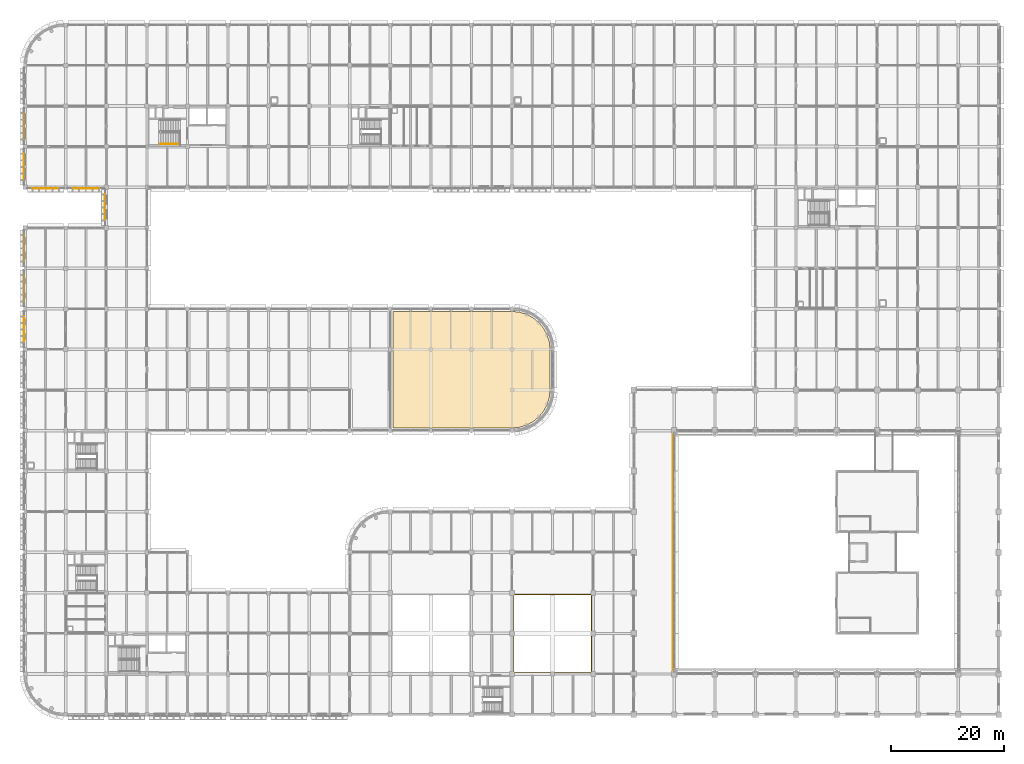
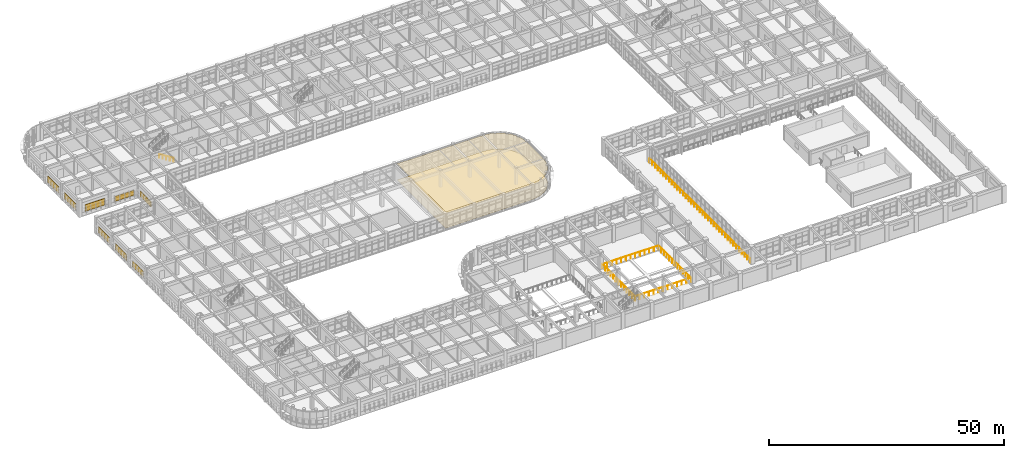
# One storey, part 167 of 171: 8 shading devices, 3 railings, 2 coverings.
"""IFC4 building model written with IfcOpenShell, lengths in metres."""

from ifc_helpers import new_model, si_unit, direction, frame, origin, origin_2d, place, context, subcontext, project, spatial, polyline, rectangle, circle, outline, extrude, material, layer, layer_set, type_object, element, save


model = new_model("IFC4")

# Units and contexts
model_context = context("Model", 3, precision=1e-05, world=origin(), true_north=direction((0.0, 1.0)))
body_context = subcontext(model_context, "Body", "Model", "MODEL_VIEW")
ifc_project = project(units=[si_unit("LENGTHUNIT", "METRE"), si_unit("AREAUNIT", "SQUARE_METRE"), si_unit("VOLUMEUNIT", "CUBIC_METRE"), si_unit("PLANEANGLEUNIT", "RADIAN"), si_unit("MASSUNIT", "GRAM", prefix="KILO")], contexts=[model_context])

# Site, building, storey
site_placement = place(None, origin())
site = spatial("IfcSite", under=ifc_project, at=site_placement, CompositionType="ELEMENT")
building_placement = place(site_placement, origin())
building = spatial("IfcBuilding", under=site, at=building_placement, Name="Thalmaran Polytechnic", CompositionType="ELEMENT")
storey_placement = place(building_placement, frame((0.0, 0.0, 5.39990234375)))
storey = spatial("IfcBuildingStorey", under=building, at=storey_placement, Name="L01", CompositionType="ELEMENT", Elevation=5.39990234375)

# Coverings
ifc_material_1 = material(Name="Acoustic mineral fibre ceiling")
ifc_layer_1 = layer(ifc_material_1, 0.02490234375, Name="Acoustic mineral fibre ceiling")
ifc_layer_set_1 = layer_set([ifc_layer_1], Name="Acoustic mineral fibre ceiling")
covering_type_1 = type_object("IfcCoveringType", Name="CV-CL01", PredefinedType="CEILING", material=ifc_layer_set_1)
covering_1_placement = place(storey_placement, frame((0.0, 0.0, 4.18505859375)))
element("IfcCovering", 1, at=covering_1_placement, inside=storey, type_object=covering_type_1, Name="Refectory Mezzanine and Campus Cafe Acoustic Ceiling", PredefinedType="CEILING", context=body_context, shape_type="SweptSolid", body=[
    extrude(outline(polyline([(65.25, 71.550048828125), (86.3779296875, 71.550048828125), (87.716552734375, 71.418212890625), (88.982177734375, 71.0341796875), (90.14892578125, 70.41064453125), (91.17138671875, 69.571533203125), (92.010498046875, 68.548828125), (92.63427734375, 67.38232421875), (93.01806640625, 66.116455078125), (93.14990234375, 64.77783203125), (93.14990234375, 57.6220703125), (93.01806640625, 56.283447265625), (92.63427734375, 55.017822265625), (92.010498046875, 53.85107421875), (91.17138671875, 52.82861328125), (90.14892578125, 51.989501953125), (88.982177734375, 51.36572265625), (87.716552734375, 50.98193359375), (86.3779296875, 50.85009765625), (65.25, 50.85009765625), (65.25, 71.550048828125)])), origin(), (0.0, 0.0, 1.0), 0.025146484375),
])
ifc_material_2 = material(Name="Polished terrazzo and epoxy lab flooring")
ifc_layer_2 = layer(ifc_material_2, 0.02001953125, Name="Polished terrazzo and epoxy lab flooring")
ifc_layer_set_2 = layer_set([ifc_layer_2], Name="Polished terrazzo and epoxy lab flooring")
covering_type_2 = type_object("IfcCoveringType", Name="CV-FL01", PredefinedType="FLOORING", material=ifc_layer_set_2)
covering_2_placement = place(storey_placement, origin())
element("IfcCovering", 2, at=covering_2_placement, inside=storey, type_object=covering_type_2, Name="Refectory Mezzanine and Campus Cafe Specialist Finish Flooring", PredefinedType="FLOORING", context=body_context, shape_type="SweptSolid", body=[
    extrude(outline(polyline([(65.25, 71.550048828125), (86.3779296875, 71.550048828125), (87.716552734375, 71.418212890625), (88.982177734375, 71.0341796875), (90.14892578125, 70.41064453125), (91.17138671875, 69.571533203125), (92.010498046875, 68.548828125), (92.63427734375, 67.38232421875), (93.01806640625, 66.116455078125), (93.14990234375, 64.77783203125), (93.14990234375, 57.6220703125), (93.01806640625, 56.283447265625), (92.63427734375, 55.017822265625), (92.010498046875, 53.85107421875), (91.17138671875, 52.82861328125), (90.14892578125, 51.989501953125), (88.982177734375, 51.36572265625), (87.716552734375, 50.98193359375), (86.3779296875, 50.85009765625), (65.25, 50.85009765625), (65.25, 71.550048828125)])), origin(), (0.0, 0.0, 1.0), 0.02001953125),
])

# Railings
ifc_material_3 = material(Name="Stainless steel 316", Category="steel")
railing_type_1 = type_object("IfcRailingType", Name="RL-GR01", PredefinedType="GUARDRAIL", material=ifc_material_3)
railing_1_placement = place(storey_placement, frame((114.949951171875, 7.35009765625, 0.0)))
element("IfcRailing", 3, at=railing_1_placement, inside=storey, type_object=railing_type_1, Name="Workshop West Gallery Guardrail", PredefinedType="GUARDRAIL", context=body_context, shape_type="SweptSolid", body=[
    extrude(circle(Radius=0.02392578125, at=origin_2d()), frame((0.0, 0.0, 1.1259765625), z_axis=(0.0, 1.0, 0.0), x_axis=(-1.0, 0.0, 0.0)), (0.0, 0.0, 1.0), 42.89990234375),
    extrude(circle(Radius=0.02099609375, at=origin_2d()), origin(), (0.0, 0.0, 1.0), 1.101806640625),
    extrude(circle(Radius=0.02099609375, at=origin_2d()), frame((0.0, 1.191650390625, 0.0)), (0.0, 0.0, 1.0), 1.101806640625),
    extrude(circle(Radius=0.02099609375, at=origin_2d()), frame((0.0, 2.38330078125, 0.0)), (0.0, 0.0, 1.0), 1.101806640625),
    extrude(circle(Radius=0.02099609375, at=origin_2d()), frame((0.0, 3.574951171875, 0.0)), (0.0, 0.0, 1.0), 1.101806640625),
    extrude(circle(Radius=0.02099609375, at=origin_2d()), frame((0.0, 4.7666015625, 0.0)), (0.0, 0.0, 1.0), 1.101806640625),
    extrude(circle(Radius=0.02099609375, at=origin_2d()), frame((0.0, 5.958251953125, 0.0)), (0.0, 0.0, 1.0), 1.101806640625),
    extrude(circle(Radius=0.02099609375, at=origin_2d()), frame((0.0, 7.14990234375, 0.0)), (0.0, 0.0, 1.0), 1.101806640625),
    extrude(circle(Radius=0.02099609375, at=origin_2d()), frame((0.0, 8.341552734375, 0.0)), (0.0, 0.0, 1.0), 1.101806640625),
    extrude(circle(Radius=0.02099609375, at=origin_2d()), frame((0.0, 9.533203125, 0.0)), (0.0, 0.0, 1.0), 1.101806640625),
    extrude(circle(Radius=0.02099609375, at=origin_2d()), frame((0.0, 10.72509765625, 0.0)), (0.0, 0.0, 1.0), 1.101806640625),
    extrude(circle(Radius=0.02099609375, at=origin_2d()), frame((0.0, 11.916748046875, 0.0)), (0.0, 0.0, 1.0), 1.101806640625),
    extrude(circle(Radius=0.02099609375, at=origin_2d()), frame((0.0, 13.1083984375, 0.0)), (0.0, 0.0, 1.0), 1.101806640625),
    extrude(circle(Radius=0.02099609375, at=origin_2d()), frame((0.0, 14.300048828125, 0.0)), (0.0, 0.0, 1.0), 1.101806640625),
    extrude(circle(Radius=0.02099609375, at=origin_2d()), frame((0.0, 15.49169921875, 0.0)), (0.0, 0.0, 1.0), 1.101806640625),
    extrude(circle(Radius=0.02099609375, at=origin_2d()), frame((0.0, 16.683349609375, 0.0)), (0.0, 0.0, 1.0), 1.101806640625),
    extrude(circle(Radius=0.02099609375, at=origin_2d()), frame((0.0, 17.875, 0.0)), (0.0, 0.0, 1.0), 1.101806640625),
    extrude(circle(Radius=0.02099609375, at=origin_2d()), frame((0.0, 19.066650390625, 0.0)), (0.0, 0.0, 1.0), 1.101806640625),
    extrude(circle(Radius=0.02099609375, at=origin_2d()), frame((0.0, 20.25830078125, 0.0)), (0.0, 0.0, 1.0), 1.101806640625),
    extrude(circle(Radius=0.02099609375, at=origin_2d()), frame((0.0, 21.449951171875, 0.0)), (0.0, 0.0, 1.0), 1.101806640625),
    extrude(circle(Radius=0.02099609375, at=origin_2d()), frame((0.0, 22.6416015625, 0.0)), (0.0, 0.0, 1.0), 1.101806640625),
    extrude(circle(Radius=0.02099609375, at=origin_2d()), frame((0.0, 23.833251953125, 0.0)), (0.0, 0.0, 1.0), 1.101806640625),
    extrude(circle(Radius=0.02099609375, at=origin_2d()), frame((0.0, 25.02490234375, 0.0)), (0.0, 0.0, 1.0), 1.101806640625),
    extrude(circle(Radius=0.02099609375, at=origin_2d()), frame((0.0, 26.216552734375, 0.0)), (0.0, 0.0, 1.0), 1.101806640625),
    extrude(circle(Radius=0.02099609375, at=origin_2d()), frame((0.0, 27.408203125, 0.0)), (0.0, 0.0, 1.0), 1.101806640625),
    extrude(circle(Radius=0.02099609375, at=origin_2d()), frame((0.0, 28.599853515625, 0.0)), (0.0, 0.0, 1.0), 1.101806640625),
    extrude(circle(Radius=0.02099609375, at=origin_2d()), frame((0.0, 29.79150390625, 0.0)), (0.0, 0.0, 1.0), 1.101806640625),
    extrude(circle(Radius=0.02099609375, at=origin_2d()), frame((0.0, 30.983154296875, 0.0)), (0.0, 0.0, 1.0), 1.101806640625),
    extrude(circle(Radius=0.02099609375, at=origin_2d()), frame((0.0, 32.1748046875, 0.0)), (0.0, 0.0, 1.0), 1.101806640625),
    extrude(circle(Radius=0.02099609375, at=origin_2d()), frame((0.0, 33.36669921875, 0.0)), (0.0, 0.0, 1.0), 1.101806640625),
    extrude(circle(Radius=0.02099609375, at=origin_2d()), frame((0.0, 34.558349609375, 0.0)), (0.0, 0.0, 1.0), 1.101806640625),
    extrude(circle(Radius=0.02099609375, at=origin_2d()), frame((0.0, 35.75, 0.0)), (0.0, 0.0, 1.0), 1.101806640625),
    extrude(circle(Radius=0.02099609375, at=origin_2d()), frame((0.0, 36.941650390625, 0.0)), (0.0, 0.0, 1.0), 1.101806640625),
    extrude(circle(Radius=0.02099609375, at=origin_2d()), frame((0.0, 38.13330078125, 0.0)), (0.0, 0.0, 1.0), 1.101806640625),
    extrude(circle(Radius=0.02099609375, at=origin_2d()), frame((0.0, 39.324951171875, 0.0)), (0.0, 0.0, 1.0), 1.101806640625),
    extrude(circle(Radius=0.02099609375, at=origin_2d()), frame((0.0, 40.5166015625, 0.0)), (0.0, 0.0, 1.0), 1.101806640625),
    extrude(circle(Radius=0.02099609375, at=origin_2d()), frame((0.0, 41.708251953125, 0.0)), (0.0, 0.0, 1.0), 1.101806640625),
    extrude(circle(Radius=0.02099609375, at=origin_2d()), frame((0.0, 42.89990234375, 0.0)), (0.0, 0.0, 1.0), 1.101806640625),
])
railing_2_placement = place(storey_placement, frame((86.699951171875, 7.5, 0.0)))
element("IfcRailing", 4, at=railing_2_placement, inside=storey, type_object=railing_type_1, Name="Lecture Bowl Gallery Guard L01-2", PredefinedType="GUARDRAIL", context=body_context, shape_type="SweptSolid", body=[
    extrude(circle(Radius=0.02392578125, at=origin_2d()), frame((0.0, 0.0, 1.1259765625), z_axis=(1.0, 0.0, 0.0), x_axis=(0.0, 1.0, 0.0)), (0.0, 0.0, 1.0), 13.800048828125),
    extrude(circle(Radius=0.02392578125, at=origin_2d()), frame((13.800048828125, 0.0, 1.1259765625), z_axis=(0.0, 1.0, 0.0), x_axis=(-1.0, 0.0, 0.0)), (0.0, 0.0, 1.0), 13.800048828125),
    extrude(circle(Radius=0.02392578125, at=origin_2d()), frame((13.800048828125, 13.800048828125, 1.1259765625), z_axis=(-1.0, 0.0, 0.0), x_axis=(0.0, -1.0, 0.0)), (0.0, 0.0, 1.0), 13.800048828125),
    extrude(circle(Radius=0.02392578125, at=origin_2d()), frame((0.0, 13.800048828125, 1.1259765625), z_axis=(0.0, -1.0, 0.0), x_axis=(1.0, 0.0, 0.0)), (0.0, 0.0, 1.0), 13.800048828125),
    extrude(circle(Radius=0.02099609375, at=origin_2d()), origin(), (0.0, 0.0, 1.0), 1.101806640625),
    extrude(circle(Radius=0.02099609375, at=origin_2d()), frame((1.14990234375, 0.0, 0.0)), (0.0, 0.0, 1.0), 1.101806640625),
    extrude(circle(Radius=0.02099609375, at=origin_2d()), frame((2.300048828125, 0.0, 0.0)), (0.0, 0.0, 1.0), 1.101806640625),
    extrude(circle(Radius=0.02099609375, at=origin_2d()), frame((3.449951171875, 0.0, 0.0)), (0.0, 0.0, 1.0), 1.101806640625),
    extrude(circle(Radius=0.02099609375, at=origin_2d()), frame((4.60009765625, 0.0, 0.0)), (0.0, 0.0, 1.0), 1.101806640625),
    extrude(circle(Radius=0.02099609375, at=origin_2d()), frame((5.75, 0.0, 0.0)), (0.0, 0.0, 1.0), 1.101806640625),
    extrude(circle(Radius=0.02099609375, at=origin_2d()), frame((6.89990234375, 0.0, 0.0)), (0.0, 0.0, 1.0), 1.101806640625),
    extrude(circle(Radius=0.02099609375, at=origin_2d()), frame((8.050048828125, 0.0, 0.0)), (0.0, 0.0, 1.0), 1.101806640625),
    extrude(circle(Radius=0.02099609375, at=origin_2d()), frame((9.199951171875, 0.0, 0.0)), (0.0, 0.0, 1.0), 1.101806640625),
    extrude(circle(Radius=0.02099609375, at=origin_2d()), frame((10.35009765625, 0.0, 0.0)), (0.0, 0.0, 1.0), 1.101806640625),
    extrude(circle(Radius=0.02099609375, at=origin_2d()), frame((11.5, 0.0, 0.0)), (0.0, 0.0, 1.0), 1.101806640625),
    extrude(circle(Radius=0.02099609375, at=origin_2d()), frame((12.650146484375, 0.0, 0.0)), (0.0, 0.0, 1.0), 1.101806640625),
    extrude(circle(Radius=0.02099609375, at=origin_2d()), frame((13.800048828125, 0.0, 0.0)), (0.0, 0.0, 1.0), 1.101806640625),
    extrude(circle(Radius=0.02099609375, at=origin_2d()), frame((13.800048828125, 1.14990234375, 0.0)), (0.0, 0.0, 1.0), 1.101806640625),
    extrude(circle(Radius=0.02099609375, at=origin_2d()), frame((13.800048828125, 2.300048828125, 0.0)), (0.0, 0.0, 1.0), 1.101806640625),
    extrude(circle(Radius=0.02099609375, at=origin_2d()), frame((13.800048828125, 3.449951171875, 0.0)), (0.0, 0.0, 1.0), 1.101806640625),
    extrude(circle(Radius=0.02099609375, at=origin_2d()), frame((13.800048828125, 4.60009765625, 0.0)), (0.0, 0.0, 1.0), 1.101806640625),
    extrude(circle(Radius=0.02099609375, at=origin_2d()), frame((13.800048828125, 5.75, 0.0)), (0.0, 0.0, 1.0), 1.101806640625),
    extrude(circle(Radius=0.02099609375, at=origin_2d()), frame((13.800048828125, 6.89990234375, 0.0)), (0.0, 0.0, 1.0), 1.101806640625),
    extrude(circle(Radius=0.02099609375, at=origin_2d()), frame((13.800048828125, 8.050048828125, 0.0)), (0.0, 0.0, 1.0), 1.101806640625),
    extrude(circle(Radius=0.02099609375, at=origin_2d()), frame((13.800048828125, 9.199951171875, 0.0)), (0.0, 0.0, 1.0), 1.101806640625),
    extrude(circle(Radius=0.02099609375, at=origin_2d()), frame((13.800048828125, 10.35009765625, 0.0)), (0.0, 0.0, 1.0), 1.101806640625),
    extrude(circle(Radius=0.02099609375, at=origin_2d()), frame((13.800048828125, 11.5, 0.0)), (0.0, 0.0, 1.0), 1.101806640625),
    extrude(circle(Radius=0.02099609375, at=origin_2d()), frame((13.800048828125, 12.650146484375, 0.0)), (0.0, 0.0, 1.0), 1.101806640625),
    extrude(circle(Radius=0.02099609375, at=origin_2d()), frame((13.800048828125, 13.800048828125, 0.0)), (0.0, 0.0, 1.0), 1.101806640625),
    extrude(circle(Radius=0.02099609375, at=origin_2d()), frame((12.650146484375, 13.800048828125, 0.0)), (0.0, 0.0, 1.0), 1.101806640625),
    extrude(circle(Radius=0.02099609375, at=origin_2d()), frame((11.5, 13.800048828125, 0.0)), (0.0, 0.0, 1.0), 1.101806640625),
    extrude(circle(Radius=0.02099609375, at=origin_2d()), frame((10.35009765625, 13.800048828125, 0.0)), (0.0, 0.0, 1.0), 1.101806640625),
    extrude(circle(Radius=0.02099609375, at=origin_2d()), frame((9.199951171875, 13.800048828125, 0.0)), (0.0, 0.0, 1.0), 1.101806640625),
    extrude(circle(Radius=0.02099609375, at=origin_2d()), frame((8.050048828125, 13.800048828125, 0.0)), (0.0, 0.0, 1.0), 1.101806640625),
    extrude(circle(Radius=0.02099609375, at=origin_2d()), frame((6.89990234375, 13.800048828125, 0.0)), (0.0, 0.0, 1.0), 1.101806640625),
    extrude(circle(Radius=0.02099609375, at=origin_2d()), frame((5.75, 13.800048828125, 0.0)), (0.0, 0.0, 1.0), 1.101806640625),
    extrude(circle(Radius=0.02099609375, at=origin_2d()), frame((4.60009765625, 13.800048828125, 0.0)), (0.0, 0.0, 1.0), 1.101806640625),
    extrude(circle(Radius=0.02099609375, at=origin_2d()), frame((3.449951171875, 13.800048828125, 0.0)), (0.0, 0.0, 1.0), 1.101806640625),
    extrude(circle(Radius=0.02099609375, at=origin_2d()), frame((2.300048828125, 13.800048828125, 0.0)), (0.0, 0.0, 1.0), 1.101806640625),
    extrude(circle(Radius=0.02099609375, at=origin_2d()), frame((1.14990234375, 13.800048828125, 0.0)), (0.0, 0.0, 1.0), 1.101806640625),
    extrude(circle(Radius=0.02099609375, at=origin_2d()), frame((0.0, 13.800048828125, 0.0)), (0.0, 0.0, 1.0), 1.101806640625),
    extrude(circle(Radius=0.02099609375, at=origin_2d()), frame((0.0, 12.650146484375, 0.0)), (0.0, 0.0, 1.0), 1.101806640625),
    extrude(circle(Radius=0.02099609375, at=origin_2d()), frame((0.0, 11.5, 0.0)), (0.0, 0.0, 1.0), 1.101806640625),
    extrude(circle(Radius=0.02099609375, at=origin_2d()), frame((0.0, 10.35009765625, 0.0)), (0.0, 0.0, 1.0), 1.101806640625),
    extrude(circle(Radius=0.02099609375, at=origin_2d()), frame((0.0, 9.199951171875, 0.0)), (0.0, 0.0, 1.0), 1.101806640625),
    extrude(circle(Radius=0.02099609375, at=origin_2d()), frame((0.0, 8.050048828125, 0.0)), (0.0, 0.0, 1.0), 1.101806640625),
    extrude(circle(Radius=0.02099609375, at=origin_2d()), frame((0.0, 6.89990234375, 0.0)), (0.0, 0.0, 1.0), 1.101806640625),
    extrude(circle(Radius=0.02099609375, at=origin_2d()), frame((0.0, 5.75, 0.0)), (0.0, 0.0, 1.0), 1.101806640625),
    extrude(circle(Radius=0.02099609375, at=origin_2d()), frame((0.0, 4.60009765625, 0.0)), (0.0, 0.0, 1.0), 1.101806640625),
    extrude(circle(Radius=0.02099609375, at=origin_2d()), frame((0.0, 3.449951171875, 0.0)), (0.0, 0.0, 1.0), 1.101806640625),
    extrude(circle(Radius=0.02099609375, at=origin_2d()), frame((0.0, 2.300048828125, 0.0)), (0.0, 0.0, 1.0), 1.101806640625),
    extrude(circle(Radius=0.02099609375, at=origin_2d()), frame((0.0, 1.14990234375, 0.0)), (0.0, 0.0, 1.0), 1.101806640625),
])
railing_type_2 = type_object("IfcRailingType", Name="RL-HR01", PredefinedType="HANDRAIL", material=ifc_material_3)
railing_3_placement = place(storey_placement, frame((27.52001953125, 101.280029296875, 0.0)))
element("IfcRailing", 5, at=railing_3_placement, inside=storey, type_object=railing_type_2, Name="ST2 L01 Flight 1 Handrail", PredefinedType="HANDRAIL", context=body_context, shape_type="SweptSolid", body=[
    extrude(circle(Radius=0.02392578125, at=origin_2d()), frame((0.0, 0.0, 0.8759765625), z_axis=(-0.84257692701, 0.0, 0.53857601327), x_axis=(0.0, -1.0, 0.0)), (0.0, 0.0, 1.0), 4.177734375),
    extrude(circle(Radius=0.02099609375, at=origin_2d()), origin(), (0.0, 0.0, 1.0), 0.851806640625),
    extrude(circle(Radius=0.02099609375, at=origin_2d()), frame((-0.8798828125, 0.0, 0.5625)), (0.0, 0.0, 1.0), 0.851806640625),
    extrude(circle(Radius=0.02099609375, at=origin_2d()), frame((-1.760009765625, 0.0, 1.125)), (0.0, 0.0, 1.0), 0.851806640625),
    extrude(circle(Radius=0.02099609375, at=origin_2d()), frame((-2.64013671875, 0.0, 1.6875)), (0.0, 0.0, 1.0), 0.851806640625),
    extrude(circle(Radius=0.02099609375, at=origin_2d()), frame((-3.52001953125, 0.0, 2.25)), (0.0, 0.0, 1.0), 0.851806640625),
])

# Shading devices
ifc_material_4 = material(Name="Perforated anodised-bronze aluminium screen", Category="aluminium")
ifc_layer_3 = layer(ifc_material_4, 0.080078125, Name="Perforated anodised-bronze aluminium screen")
ifc_layer_set_3 = layer_set([ifc_layer_3], Name="Perforated anodised-bronze aluminium screen")
shading_device_type = type_object("IfcShadingDeviceType", Name="SH-JL01", PredefinedType="JALOUSIE", material=ifc_layer_set_3)
shading_device_1_placement = place(storey_placement, frame((-0.219970703125, 68.39990234375, 1.02490234375), z_axis=(0.0, 0.0, 1.0), x_axis=(0.0, 1.0, 0.0)))
element("IfcShadingDevice", 6, at=shading_device_1_placement, inside=storey, type_object=shading_device_type, Name="Anodised-Bronze Mashrabiya Solar Screen L01-010", PredefinedType="JALOUSIE", context=body_context, shape_type="SweptSolid", body=[
    extrude(rectangle(XDim=4.6259765625, YDim=0.080078125, at=origin_2d()), origin(), (0.0, 0.0, 1.0), 1.449951171875),
])
shading_device_2_placement = place(storey_placement, frame((-0.219970703125, 75.60009765625, 1.025146484375), z_axis=(0.0, 0.0, 1.0), x_axis=(0.0, 1.0, 0.0)))
element("IfcShadingDevice", 7, at=shading_device_2_placement, inside=storey, type_object=shading_device_type, Name="Anodised-Bronze Mashrabiya Solar Screen L01-011", PredefinedType="JALOUSIE", context=body_context, shape_type="SweptSolid", body=[
    extrude(rectangle(XDim=4.662109375, YDim=0.080078125, at=origin_2d()), origin(), (0.0, 0.0, 1.0), 1.5),
])
shading_device_3_placement = place(storey_placement, frame((-0.219970703125, 82.800048828125, 1.025146484375), z_axis=(0.0, 0.0, 1.0), x_axis=(0.0, 1.0, 0.0)))
element("IfcShadingDevice", 8, at=shading_device_3_placement, inside=storey, type_object=shading_device_type, Name="Anodised-Bronze Mashrabiya Solar Screen L01-012", PredefinedType="JALOUSIE", context=body_context, shape_type="SweptSolid", body=[
    extrude(rectangle(XDim=4.687255859375, YDim=0.080078125, at=origin_2d()), origin(), (0.0, 0.0, 1.0), 1.60009765625),
])
shading_device_4_placement = place(storey_placement, frame((14.179931640625, 90.0, 1.02490234375), z_axis=(0.0, 0.0, 1.0), x_axis=(0.0, 1.0, 0.0)))
element("IfcShadingDevice", 9, at=shading_device_4_placement, inside=storey, type_object=shading_device_type, Name="Anodised-Bronze Mashrabiya Solar Screen L01-015", PredefinedType="JALOUSIE", context=body_context, shape_type="SweptSolid", body=[
    extrude(rectangle(XDim=4.63330078125, YDim=0.080078125, at=origin_2d()), origin(), (0.0, 0.0, 1.0), 1.449951171875),
])
shading_device_5_placement = place(storey_placement, frame((10.800048828125, 93.3798828125, 1.025146484375), z_axis=(0.0, 0.0, 1.0), x_axis=(-1.0, 0.0, 0.0)))
element("IfcShadingDevice", 10, at=shading_device_5_placement, inside=storey, type_object=shading_device_type, Name="Anodised-Bronze Mashrabiya Solar Screen L01-016", PredefinedType="JALOUSIE", context=body_context, shape_type="SweptSolid", body=[
    extrude(rectangle(XDim=4.716064453125, YDim=0.080078125, at=origin_2d()), origin(), (0.0, 0.0, 1.0), 1.35009765625),
])
shading_device_6_placement = place(storey_placement, frame((3.60009765625, 93.3798828125, 1.025146484375), z_axis=(0.0, 0.0, 1.0), x_axis=(-1.0, 0.0, 0.0)))
element("IfcShadingDevice", 11, at=shading_device_6_placement, inside=storey, type_object=shading_device_type, Name="Anodised-Bronze Mashrabiya Solar Screen L01-017", PredefinedType="JALOUSIE", context=body_context, shape_type="SweptSolid", body=[
    extrude(rectangle(XDim=4.716064453125, YDim=0.080078125, at=origin_2d()), origin(), (0.0, 0.0, 1.0), 1.75),
])
shading_device_7_placement = place(storey_placement, frame((-0.219970703125, 97.199951171875, 1.025146484375), z_axis=(0.0, 0.0, 1.0), x_axis=(0.0, 1.0, 0.0)))
element("IfcShadingDevice", 12, at=shading_device_7_placement, inside=storey, type_object=shading_device_type, Name="Anodised-Bronze Mashrabiya Solar Screen L01-018", PredefinedType="JALOUSIE", context=body_context, shape_type="SweptSolid", body=[
    extrude(rectangle(XDim=4.65478515625, YDim=0.080078125, at=origin_2d()), origin(), (0.0, 0.0, 1.0), 1.64990234375),
])
shading_device_8_placement = place(storey_placement, frame((-0.219970703125, 104.39990234375, 1.025146484375), z_axis=(0.0, 0.0, 1.0), x_axis=(0.0, 1.0, 0.0)))
element("IfcShadingDevice", 13, at=shading_device_8_placement, inside=storey, type_object=shading_device_type, Name="Anodised-Bronze Mashrabiya Solar Screen L01-019", PredefinedType="JALOUSIE", context=body_context, shape_type="SweptSolid", body=[
    extrude(rectangle(XDim=4.6728515625, YDim=0.080078125, at=origin_2d()), origin(), (0.0, 0.0, 1.0), 1.64990234375),
])

save(model, "model.ifc")
